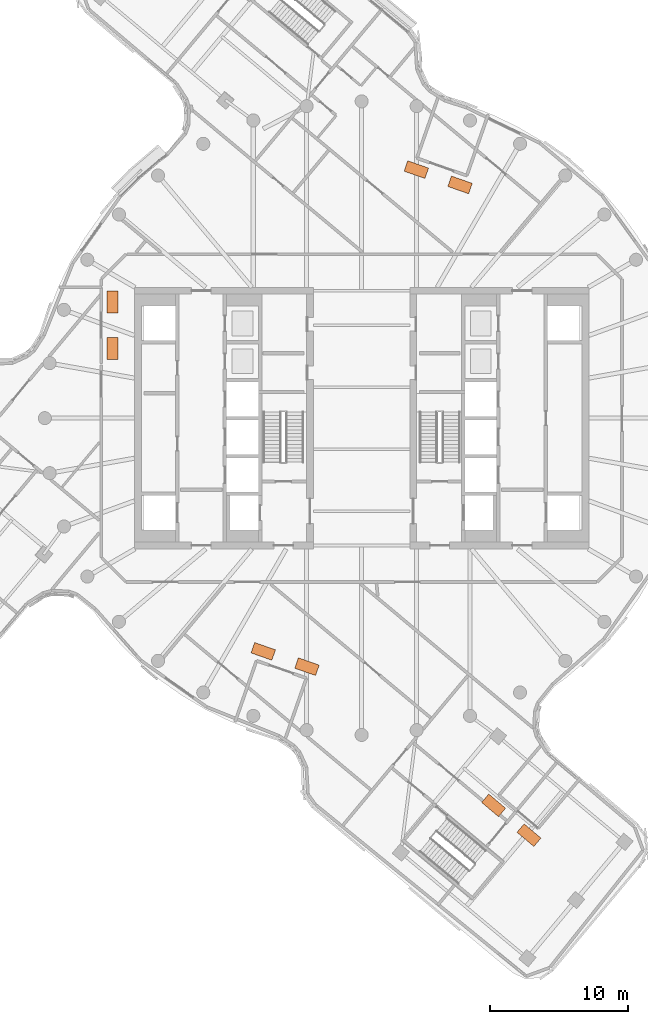
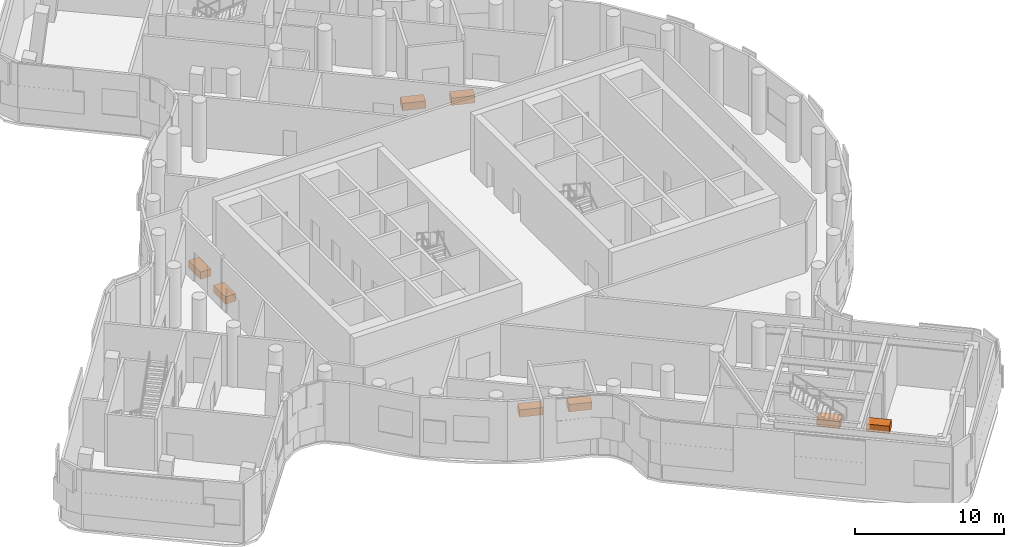
# One storey, part 19 of 19: 8 proxies.
"""IFC4 building model written with IfcOpenShell, lengths in metres."""

from ifc_helpers import new_model, si_unit, direction, frame, origin, origin_2d, place, context, subcontext, project, spatial, rectangle, extrude, material, type_object, element, save


model = new_model("IFC4")

# Units and contexts
model_context = context("Model", 3, precision=1e-05, world=origin(), true_north=direction((0.0, 1.0)))
body_context = subcontext(model_context, "Body", "Model", "MODEL_VIEW")
ifc_project = project(units=[si_unit("LENGTHUNIT", "METRE"), si_unit("AREAUNIT", "SQUARE_METRE"), si_unit("VOLUMEUNIT", "CUBIC_METRE"), si_unit("PLANEANGLEUNIT", "RADIAN"), si_unit("MASSUNIT", "GRAM", prefix="KILO")], contexts=[model_context])

# Site, building, storey
site_placement = place(None, origin())
site = spatial("IfcSite", under=ifc_project, at=site_placement, CompositionType="ELEMENT")
building_placement = place(site_placement, origin())
building = spatial("IfcBuilding", under=site, at=building_placement, Name="Tamarind Cross Interchange Tower", CompositionType="ELEMENT")
storey_placement = place(building_placement, frame((0.0, 0.0, 214.89990234375)))
storey = spatial("IfcBuildingStorey", under=building, at=storey_placement, Name="L54", CompositionType="ELEMENT", Elevation=214.89990234375)

# Proxies
ifc_material = material(Name="Concrete C30", Category="concrete")
building_element_proxy_type = type_object("IfcBuildingElementProxyType", Name="Planter", PredefinedType="USERDEFINED", material=ifc_material)
proxy_1_placement = place(storey_placement, origin())
element("IfcBuildingElementProxy", 1, at=proxy_1_placement, inside=storey, type_object=building_element_proxy_type, Name="PLT-L54-WG-L54-NW-0", ObjectType="Planter", PredefinedType="USERDEFINED", context=body_context, shape_type="SweptSolid", body=[
    extrude(rectangle(XDim=1.60009765625, YDim=0.800048828125, at=origin_2d()), frame((-18.10009765625, 8.41650390625, 0.0), z_axis=(0.0, 0.0, 1.0), x_axis=(0.0, -1.0, 0.0)), (0.0, 0.0, 1.0), 0.60009765625),
])
proxy_2_placement = place(storey_placement, origin())
element("IfcBuildingElementProxy", 2, at=proxy_2_placement, inside=storey, type_object=building_element_proxy_type, Name="PLT-L54-WG-L54-NW-1", ObjectType="Planter", PredefinedType="USERDEFINED", context=body_context, shape_type="SweptSolid", body=[
    extrude(rectangle(XDim=1.60009765625, YDim=0.800048828125, at=origin_2d()), frame((-18.10009765625, 5.056396484375, 0.0), z_axis=(0.0, 0.0, 1.0), x_axis=(0.0, -1.0, 0.0)), (0.0, 0.0, 1.0), 0.60009765625),
])
proxy_3_placement = place(storey_placement, origin())
element("IfcBuildingElementProxy", 3, at=proxy_3_placement, inside=storey, type_object=building_element_proxy_type, Name="PLT-L54-WG-L54-SNa-0", ObjectType="Planter", PredefinedType="USERDEFINED", context=body_context, shape_type="SweptSolid", body=[
    extrude(rectangle(XDim=1.60009765625, YDim=0.800048828125, at=origin_2d()), frame((12.148681640625, -30.276611328125, 0.0), z_axis=(0.0, 0.0, 1.0), x_axis=(-0.764190173767, 0.644990990882, 0.0)), (0.0, 0.0, 1.0), 0.60009765625),
])
proxy_4_placement = place(storey_placement, origin())
element("IfcBuildingElementProxy", 4, at=proxy_4_placement, inside=storey, type_object=building_element_proxy_type, Name="PLT-L54-WG-L54-SNa-1", ObjectType="Planter", PredefinedType="USERDEFINED", context=body_context, shape_type="SweptSolid", body=[
    extrude(rectangle(XDim=1.60009765625, YDim=0.800048828125, at=origin_2d()), frame((9.5810546875, -28.109375, 0.0), z_axis=(0.0, 0.0, 1.0), x_axis=(-0.764190173767, 0.644990990882, 0.0)), (0.0, 0.0, 1.0), 0.60009765625),
])
proxy_5_placement = place(storey_placement, origin())
element("IfcBuildingElementProxy", 5, at=proxy_5_placement, inside=storey, type_object=building_element_proxy_type, Name="PLT-L54-WG-L54-SNb-0", ObjectType="Planter", PredefinedType="USERDEFINED", context=body_context, shape_type="SweptSolid", body=[
    extrude(rectangle(XDim=1.60009765625, YDim=0.800048828125, at=origin_2d()), frame((7.141845703125, 16.932861328125, 0.0), z_axis=(0.0, 0.0, 1.0), x_axis=(-0.943847090898, 0.330382610019, 0.0)), (0.0, 0.0, 1.0), 0.60009765625),
])
proxy_6_placement = place(storey_placement, origin())
element("IfcBuildingElementProxy", 6, at=proxy_6_placement, inside=storey, type_object=building_element_proxy_type, Name="PLT-L54-WG-L54-SNb-1", ObjectType="Planter", PredefinedType="USERDEFINED", context=body_context, shape_type="SweptSolid", body=[
    extrude(rectangle(XDim=1.60009765625, YDim=0.800048828125, at=origin_2d()), frame((3.970458984375, 18.04296875, 0.0), z_axis=(0.0, 0.0, 1.0), x_axis=(-0.943847090898, 0.330382610019, 0.0)), (0.0, 0.0, 1.0), 0.60009765625),
])
proxy_7_placement = place(storey_placement, origin())
element("IfcBuildingElementProxy", 7, at=proxy_7_placement, inside=storey, type_object=building_element_proxy_type, Name="PLT-L54-WG-L54-WS-0", ObjectType="Planter", PredefinedType="USERDEFINED", context=body_context, shape_type="SweptSolid", body=[
    extrude(rectangle(XDim=1.60009765625, YDim=0.800048828125, at=origin_2d()), frame((-7.141845703125, -16.932861328125, 0.0), z_axis=(0.0, 0.0, 1.0), x_axis=(0.943847090898, -0.330382610019, 0.0)), (0.0, 0.0, 1.0), 0.60009765625),
])
proxy_8_placement = place(storey_placement, origin())
element("IfcBuildingElementProxy", 8, at=proxy_8_placement, inside=storey, type_object=building_element_proxy_type, Name="PLT-L54-WG-L54-WS-1", ObjectType="Planter", PredefinedType="USERDEFINED", context=body_context, shape_type="SweptSolid", body=[
    extrude(rectangle(XDim=1.60009765625, YDim=0.800048828125, at=origin_2d()), frame((-3.970458984375, -18.04296875, 0.0), z_axis=(0.0, 0.0, 1.0), x_axis=(0.943847090898, -0.330382610019, 0.0)), (0.0, 0.0, 1.0), 0.60009765625),
])

save(model, "model.ifc")
